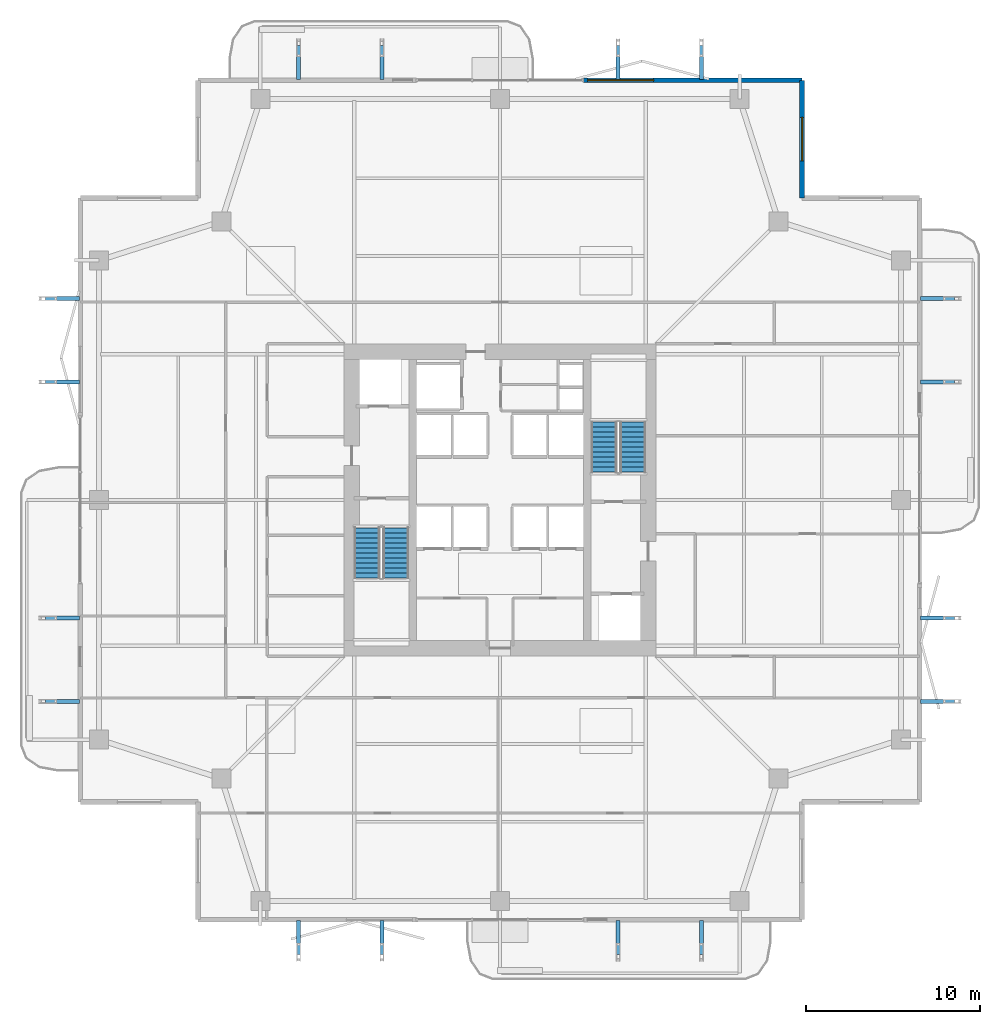
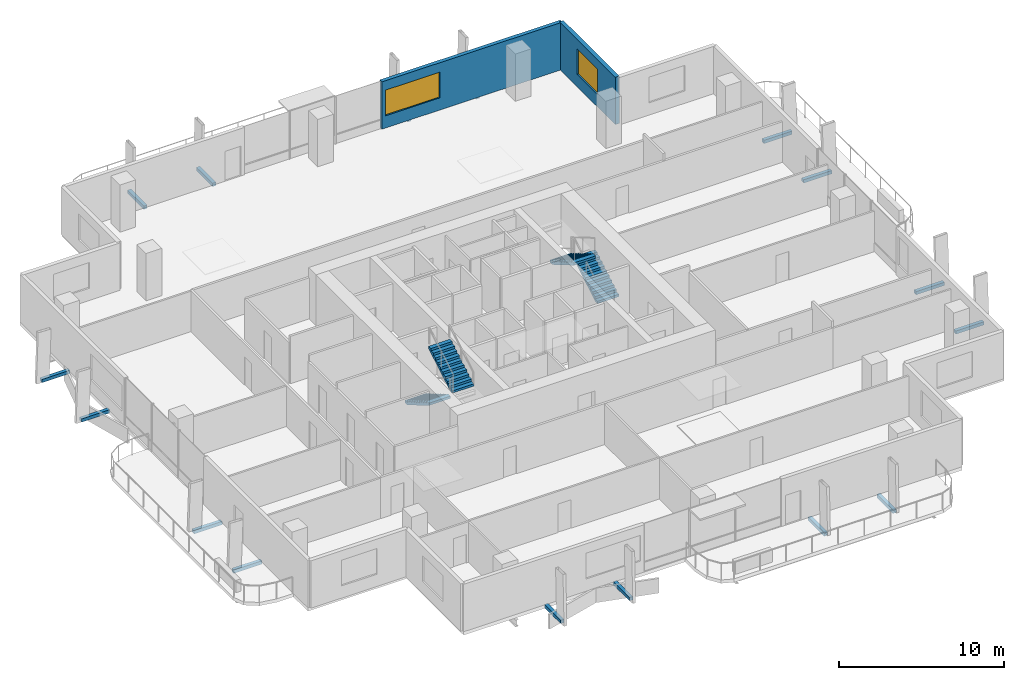
# One storey, part 21 of 25: 16 discrete accessories, 4 stair flights, 2 walls, 2 windows, 2 openings, 2 elements without a shape of their own.
"""IFC4 building model written with IfcOpenShell, lengths in metres."""

from ifc_helpers import new_model, si_unit, direction, frame, frame_2d, origin, origin_2d, place, context, subcontext, project, spatial, polyline, rectangle, outline, extrude, material, layer, layer_set, type_object, element, fill, aggregate, save


model = new_model("IFC4")

# Units and contexts
model_context = context("Model", 3, precision=1e-05, world=origin(), true_north=direction((0.0, 1.0)))
body_context = subcontext(model_context, "Body", "Model", "MODEL_VIEW")
ifc_project = project(units=[si_unit("LENGTHUNIT", "METRE"), si_unit("AREAUNIT", "SQUARE_METRE"), si_unit("VOLUMEUNIT", "CUBIC_METRE"), si_unit("PLANEANGLEUNIT", "RADIAN"), si_unit("MASSUNIT", "GRAM", prefix="KILO")], contexts=[model_context])

# Site, building, storey
site_placement = place(None, origin())
site = spatial("IfcSite", under=ifc_project, at=site_placement, CompositionType="ELEMENT")
building_placement = place(site_placement, origin())
building = spatial("IfcBuilding", under=site, at=building_placement, Name="Belovzor Exchange Tower", CompositionType="ELEMENT")
storey_placement = place(building_placement, frame((0.0, 0.0, 142.050048828125)))
storey = spatial("IfcBuildingStorey", under=building, at=storey_placement, Name="L34", CompositionType="ELEMENT", Elevation=142.050048828125)

# Wall, opening, window
ifc_material_1 = material(Name="Precast concrete C40/50", Category="concrete")
ifc_layer_1 = layer(ifc_material_1, 0.280029296875)
ifc_layer_set_1 = layer_set([ifc_layer_1], Name="Precast concrete C40/50")
wall_type_1 = type_object("IfcWallType", Name="Precast Concrete Notched Corner Frame Wall 280", PredefinedType="SOLIDWALL", material=ifc_layer_set_1)
wall_1_placement = place(storey_placement, frame((46.199951171875, 52.969970703125, 0.0), z_axis=(0.0, 0.0, 1.0), x_axis=(0.0, -1.0, 0.0)))
wall_1 = element("IfcWall", 1, at=wall_1_placement, inside=storey, type_object=wall_type_1, Name="W-CRN280 Precast Concrete Notched Corner Frame Wall 280 L34", PredefinedType="SOLIDWALL", context=body_context, shape_type="SweptSolid", body=[
    extrude(rectangle(XDim=6.77001953125, YDim=0.280029296875, at=frame_2d((3.385009765625, 0.0))), origin(), (0.0, 0.0, 1.0), 3.494873046875),
])
opening_1_placement = place(wall_1_placement, frame((2.135009765625, 0.0, 0.89990234375)))
opening_1 = element("IfcOpeningElement", 2, at=opening_1_placement, cuts=wall_1, Name="Opening WN-CRN250", PredefinedType="OPENING", context=body_context, shape_type="SweptSolid", body=[
    extrude(rectangle(XDim=2.5, YDim=1.89990234375, at=frame_2d((1.25, 0.949951171875))), frame((0.0, 0.14990234375, 0.0), z_axis=(0.0, -1.0, 0.0), x_axis=(1.0, 0.0, 0.0)), (0.0, 0.0, 1.0), 0.300048828125),
])
ifc_material_2 = material(Name="Thermally Broken Aluminium and Triple Glazing", Category="aluminium")
window_type_1 = type_object("IfcWindowType", Name="Streamline Moderne Corner Wrap Ribbon Window 2500x1900", PartitioningType="SINGLE_PANEL", PredefinedType="WINDOW", material=ifc_material_2)
window_1_placement = place(opening_1_placement, origin())
window_1 = element("IfcWindow", 3, at=window_1_placement, inside=storey, type_object=window_type_1, Name="WN-CRN250 Streamline Moderne Corner Wrap Ribbon Window 2500x1900", OverallHeight=1.89990234375, OverallWidth=2.5, PartitioningType="SINGLE_PANEL", PredefinedType="WINDOW", context=body_context, shape_type="SweptSolid", body=[
    extrude(rectangle(XDim=2.5, YDim=1.89990234375, at=frame_2d((1.25, 0.949951171875))), frame((0.0, 0.030029296875, 0.0), z_axis=(0.0, -1.0, 0.0), x_axis=(1.0, 0.0, 0.0)), (0.0, 0.0, 1.0), 0.06005859375),
])
fill(opening_1, window_1)

ifc_material_3 = material(Name="Precast concrete C40/50", Category="concrete")
ifc_layer_2 = layer(ifc_material_3, 0.260009765625)
ifc_layer_set_2 = layer_set([ifc_layer_2], Name="Precast concrete C40/50")
wall_type_2 = type_object("IfcWallType", Name="Precast Concrete Perimeter Loggia Frame Wall 260", PredefinedType="SOLIDWALL", material=ifc_layer_set_2)
wall_2_placement = place(storey_placement, frame((33.60009765625, 52.969970703125, 0.0), z_axis=(0.0, 0.0, 1.0), x_axis=(1.0, 0.0, 0.0)))
wall_2 = element("IfcWall", 4, at=wall_2_placement, inside=storey, type_object=wall_type_2, Name="W-EXT260 Precast Concrete Perimeter Loggia Frame Wall 260 L34", PredefinedType="SOLIDWALL", context=body_context, shape_type="SweptSolid", body=[
    extrude(rectangle(XDim=12.599853515625, YDim=0.260009765625, at=frame_2d((6.2998046875, 0.0))), origin(), (0.0, 0.0, 1.0), 3.494873046875),
])
opening_2_placement = place(wall_2_placement, frame((0.25, 0.0, 0.89990234375)))
opening_2 = element("IfcOpeningElement", 5, at=opening_2_placement, cuts=wall_2, Name="Opening WN-RIB380", PredefinedType="OPENING", context=body_context, shape_type="SweptSolid", body=[
    extrude(rectangle(XDim=3.800048828125, YDim=1.89990234375, at=frame_2d((1.89990234375, 0.949951171875))), frame((0.0, 0.139892578125, 0.0), z_axis=(0.0, -1.0, 0.0), x_axis=(1.0, 0.0, 0.0)), (0.0, 0.0, 1.0), 0.280029296875),
])
ifc_material_4 = material(Name="Thermally Broken Aluminium and Triple Glazing", Category="aluminium")
window_type_2 = type_object("IfcWindowType", Name="Streamline Moderne Horizontal Ribbon Window 3800x1900", PartitioningType="SINGLE_PANEL", PredefinedType="WINDOW", material=ifc_material_4)
window_2_placement = place(opening_2_placement, origin())
window_2 = element("IfcWindow", 6, at=window_2_placement, inside=storey, type_object=window_type_2, Name="WN-RIB380 Streamline Moderne Horizontal Ribbon Window 3800x1900", OverallHeight=1.89990234375, OverallWidth=3.800048828125, PartitioningType="SINGLE_PANEL", PredefinedType="WINDOW", context=body_context, shape_type="SweptSolid", body=[
    extrude(rectangle(XDim=3.800048828125, YDim=1.89990234375, at=frame_2d((1.89990234375, 0.949951171875))), frame((0.0, 0.030029296875, 0.0), z_axis=(0.0, -1.0, 0.0), x_axis=(1.0, 0.0, 0.0)), (0.0, 0.0, 1.0), 0.06005859375),
])
fill(opening_2, window_2)

# Stair, stair flights
ifc_material_5 = material(Name="Concrete C40/50", Category="concrete")
stair_type = type_object("IfcStairType", Name="Reinforced Concrete Dogleg Escape Stair 1350", PredefinedType="HALF_TURN_STAIR", material=ifc_material_5)
stair_1_placement = place(storey_placement, origin())
stair_1 = element("IfcStair", 7, at=stair_1_placement, inside=storey, type_object=stair_type, Name="L34 ST-1", PredefinedType="HALF_TURN_STAIR")
ifc_material_6 = material(Name="Concrete C40/50", Category="concrete")
stair_flight_type = type_object("IfcStairFlightType", Name="Reinforced Concrete Stair Flight 1350", PredefinedType="STRAIGHT", material=ifc_material_6)
stair_flight_1_placement = place(storey_placement, frame((21.14990234375, 27.199951171875, 0.0), z_axis=(0.0, 0.0, 1.0), x_axis=(0.0, -1.0, 0.0)))
stair_flight_1 = element("IfcStairFlight", 8, at=stair_flight_1_placement, type_object=stair_flight_type, Name="ST-1 flight 1", NumberOfRisers=11, NumberOfTreads=10, PredefinedType="STRAIGHT", RiserHeight=0.170454545, TreadLength=0.29, context=body_context, shape_type="SweptSolid", body=[
    extrude(outline(polyline([(0.0, 0.0), (0.0, 0.17041015625), (0.2900390625, 0.17041015625), (0.2900390625, 0.3408203125), (0.580078125, 0.3408203125), (0.580078125, 0.511474609375), (0.8701171875, 0.511474609375), (0.8701171875, 0.681884765625), (1.159912109375, 0.681884765625), (1.159912109375, 0.852294921875), (1.449951171875, 0.852294921875), (1.449951171875, 1.022705078125), (1.739990234375, 1.022705078125), (1.739990234375, 1.193115234375), (2.030029296875, 1.193115234375), (2.030029296875, 1.363525390625), (2.320068359375, 1.363525390625), (2.320068359375, 1.5341796875), (2.610107421875, 1.5341796875), (2.610107421875, 1.70458984375), (2.89990234375, 1.70458984375), (2.89990234375, 1.875), (2.89990234375, 1.53076171875), (0.2958984375, 0.0), (0.0, 0.0)])), frame((0.0, 0.75, 0.0), z_axis=(0.0, -1.0, 0.0), x_axis=(1.0, 0.0, 0.0)), (0.0, 0.0, 1.0), 1.5),
])
stair_flight_2_placement = place(storey_placement, frame((22.800048828125, 24.300048828125, 1.875), z_axis=(0.0, 0.0, 1.0), x_axis=(0.0, 1.0, 0.0)))
stair_flight_2 = element("IfcStairFlight", 9, at=stair_flight_2_placement, type_object=stair_flight_type, Name="ST-1 flight 2", NumberOfRisers=11, NumberOfTreads=10, PredefinedType="STRAIGHT", RiserHeight=0.170454545, TreadLength=0.29, context=body_context, shape_type="SweptSolid", body=[
    extrude(outline(polyline([(0.0, 0.0), (0.0, 0.17041015625), (0.2900390625, 0.17041015625), (0.2900390625, 0.3408203125), (0.580078125, 0.3408203125), (0.580078125, 0.511474609375), (0.8701171875, 0.511474609375), (0.8701171875, 0.681884765625), (1.159912109375, 0.681884765625), (1.159912109375, 0.852294921875), (1.449951171875, 0.852294921875), (1.449951171875, 1.022705078125), (1.739990234375, 1.022705078125), (1.739990234375, 1.193115234375), (2.030029296875, 1.193115234375), (2.030029296875, 1.363525390625), (2.320068359375, 1.363525390625), (2.320068359375, 1.5341796875), (2.610107421875, 1.5341796875), (2.610107421875, 1.70458984375), (2.89990234375, 1.70458984375), (2.89990234375, 1.875), (2.89990234375, 1.53076171875), (0.2958984375, 0.0), (0.0, 0.0)])), frame((0.0, 0.75, 0.0), z_axis=(0.0, -1.0, 0.0), x_axis=(1.0, 0.0, 0.0)), (0.0, 0.0, 1.0), 1.5),
])
aggregate(stair_1, [stair_flight_1, stair_flight_2])

stair_2_placement = place(storey_placement, origin())
stair_2 = element("IfcStair", 10, at=stair_2_placement, inside=storey, type_object=stair_type, Name="L34 ST-2", PredefinedType="HALF_TURN_STAIR")
stair_flight_3_placement = place(storey_placement, frame((36.449951171875, 30.39990234375, 0.0), z_axis=(0.0, 0.0, 1.0), x_axis=(0.0, 1.0, 0.0)))
stair_flight_3 = element("IfcStairFlight", 11, at=stair_flight_3_placement, type_object=stair_flight_type, Name="ST-2 flight 1", NumberOfRisers=11, NumberOfTreads=10, PredefinedType="STRAIGHT", RiserHeight=0.170454545, TreadLength=0.29, context=body_context, shape_type="SweptSolid", body=[
    extrude(outline(polyline([(0.0, 0.0), (0.0, 0.17041015625), (0.2900390625, 0.17041015625), (0.2900390625, 0.3408203125), (0.580078125, 0.3408203125), (0.580078125, 0.511474609375), (0.8701171875, 0.511474609375), (0.8701171875, 0.681884765625), (1.159912109375, 0.681884765625), (1.159912109375, 0.852294921875), (1.449951171875, 0.852294921875), (1.449951171875, 1.022705078125), (1.739990234375, 1.022705078125), (1.739990234375, 1.193115234375), (2.030029296875, 1.193115234375), (2.030029296875, 1.363525390625), (2.320068359375, 1.363525390625), (2.320068359375, 1.5341796875), (2.610107421875, 1.5341796875), (2.610107421875, 1.70458984375), (2.89990234375, 1.70458984375), (2.89990234375, 1.875), (2.89990234375, 1.53076171875), (0.2958984375, 0.0), (0.0, 0.0)])), frame((0.0, 0.75, 0.0), z_axis=(0.0, -1.0, 0.0), x_axis=(1.0, 0.0, 0.0)), (0.0, 0.0, 1.0), 1.5),
])
stair_flight_4_placement = place(storey_placement, frame((34.800048828125, 33.300048828125, 1.875), z_axis=(0.0, 0.0, 1.0), x_axis=(0.0, -1.0, 0.0)))
stair_flight_4 = element("IfcStairFlight", 12, at=stair_flight_4_placement, type_object=stair_flight_type, Name="ST-2 flight 2", NumberOfRisers=11, NumberOfTreads=10, PredefinedType="STRAIGHT", RiserHeight=0.170454545, TreadLength=0.29, context=body_context, shape_type="SweptSolid", body=[
    extrude(outline(polyline([(0.0, 0.0), (0.0, 0.17041015625), (0.2900390625, 0.17041015625), (0.2900390625, 0.3408203125), (0.580078125, 0.3408203125), (0.580078125, 0.511474609375), (0.8701171875, 0.511474609375), (0.8701171875, 0.681884765625), (1.159912109375, 0.681884765625), (1.159912109375, 0.852294921875), (1.449951171875, 0.852294921875), (1.449951171875, 1.022705078125), (1.739990234375, 1.022705078125), (1.739990234375, 1.193115234375), (2.030029296875, 1.193115234375), (2.030029296875, 1.363525390625), (2.320068359375, 1.363525390625), (2.320068359375, 1.5341796875), (2.610107421875, 1.5341796875), (2.610107421875, 1.70458984375), (2.89990234375, 1.70458984375), (2.89990234375, 1.875), (2.89990234375, 1.53076171875), (0.2958984375, 0.0), (0.0, 0.0)])), frame((0.0, 0.75, 0.0), z_axis=(0.0, -1.0, 0.0), x_axis=(1.0, 0.0, 0.0)), (0.0, 0.0, 1.0), 1.5),
])
aggregate(stair_2, [stair_flight_3, stair_flight_4])

# Discrete accessories
ifc_material_7 = material(Name="Stainless Steel Grade 316", Category="steel")
ifc_layer_3 = layer(ifc_material_7, 0.179931640625)
ifc_layer_set_3 = layer_set([ifc_layer_3], Name="Stainless Steel Grade 316")
discrete_accessory_type = type_object("IfcDiscreteAccessoryType", Name="Stainless Steel Facade Outrigger Fixing Bracket", PredefinedType="BRACKET", material=ifc_layer_set_3)
for number, where, z_axis, x_axis, name in (
    (13, (17.199951171875, 3.595947265625, -0.2470703125), (0.0, 0.0, 1.0), (0.0, 1.0, 0.0), "BRK-FIN1 Sweeping Fin Outrigger Bracket L34 S1"),
    (14, (17.199951171875, 54.00390625, -0.2470703125), (0.0, 0.0, 1.0), (0.0, 1.0, 0.0), "BRK-FIN1 Sweeping Fin Outrigger Bracket L34 N1"),
    (15, (3.595947265625, 17.199951171875, -0.2470703125), (0.0, 0.0, 1.0), (1.0, 0.0, 0.0), "BRK-FIN1 Sweeping Fin Outrigger Bracket L34 W1"),
    (16, (54.00390625, 17.199951171875, -0.2470703125), (0.0, 0.0, 1.0), (1.0, 0.0, 0.0), "BRK-FIN1 Sweeping Fin Outrigger Bracket L34 E1"),
    (17, (22.0, 3.595947265625, -0.2470703125), (0.0, 0.0, 1.0), (0.0, 1.0, 0.0), "BRK-FIN1 Sweeping Fin Outrigger Bracket L34 S2"),
    (18, (22.0, 54.00390625, -0.2470703125), (0.0, 0.0, 1.0), (0.0, 1.0, 0.0), "BRK-FIN1 Sweeping Fin Outrigger Bracket L34 N2"),
    (19, (3.595947265625, 22.0, -0.2470703125), (0.0, 0.0, 1.0), (1.0, 0.0, 0.0), "BRK-FIN1 Sweeping Fin Outrigger Bracket L34 W2"),
    (20, (54.00390625, 22.0, -0.2470703125), (0.0, 0.0, 1.0), (1.0, 0.0, 0.0), "BRK-FIN1 Sweeping Fin Outrigger Bracket L34 E2"),
    (21, (35.60009765625, 3.595947265625, -0.2470703125), (0.0, 0.0, 1.0), (0.0, 1.0, 0.0), "BRK-FIN1 Sweeping Fin Outrigger Bracket L34 S3"),
    (22, (35.60009765625, 54.00390625, -0.2470703125), (0.0, 0.0, 1.0), (0.0, 1.0, 0.0), "BRK-FIN1 Sweeping Fin Outrigger Bracket L34 N3"),
    (23, (3.595947265625, 35.60009765625, -0.2470703125), (0.0, 0.0, 1.0), (1.0, 0.0, 0.0), "BRK-FIN1 Sweeping Fin Outrigger Bracket L34 W3"),
    (24, (54.00390625, 35.60009765625, -0.2470703125), (0.0, 0.0, 1.0), (1.0, 0.0, 0.0), "BRK-FIN1 Sweeping Fin Outrigger Bracket L34 E3"),
    (25, (40.39990234375, 3.595947265625, -0.2470703125), (0.0, 0.0, 1.0), (0.0, 1.0, 0.0), "BRK-FIN1 Sweeping Fin Outrigger Bracket L34 S4"),
    (26, (40.39990234375, 54.00390625, -0.2470703125), (0.0, 0.0, 1.0), (0.0, 1.0, 0.0), "BRK-FIN1 Sweeping Fin Outrigger Bracket L34 N4"),
    (27, (3.595947265625, 40.39990234375, -0.2470703125), (0.0, 0.0, 1.0), (1.0, 0.0, 0.0), "BRK-FIN1 Sweeping Fin Outrigger Bracket L34 W4"),
    (28, (54.00390625, 40.39990234375, -0.2470703125), (0.0, 0.0, 1.0), (1.0, 0.0, 0.0), "BRK-FIN1 Sweeping Fin Outrigger Bracket L34 E4"),
):
    element("IfcDiscreteAccessory", number, at=place(storey_placement, frame(where, z_axis=z_axis, x_axis=x_axis)), inside=storey, type_object=discrete_accessory_type, Name=name, PredefinedType="BRACKET", context=body_context, shape_type="SweptSolid", body=[
        extrude(rectangle(XDim=1.967041015625, YDim=0.239990234375, at=origin_2d()), origin(), (0.0, 0.0, 1.0), 0.239990234375),
    ])

save(model, "model.ifc")
